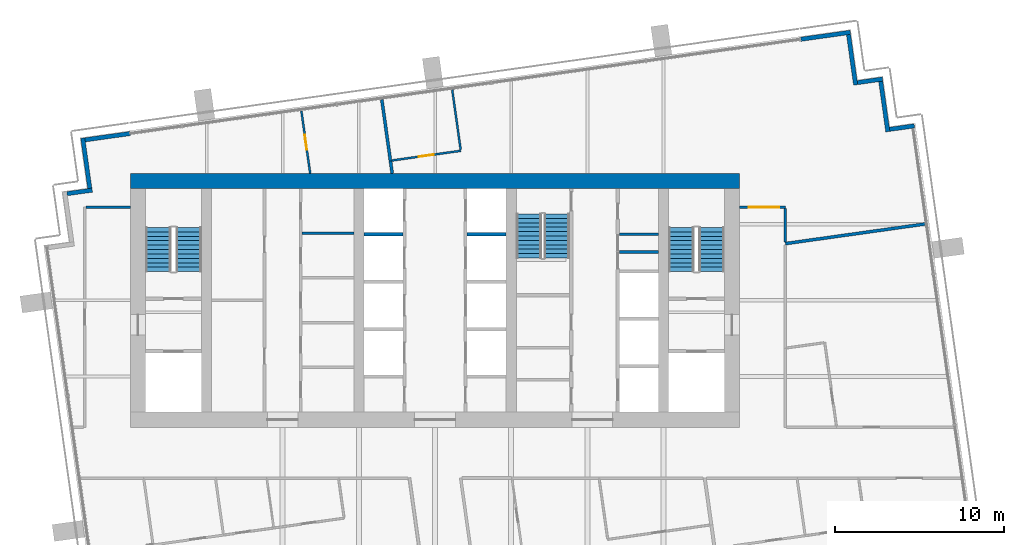
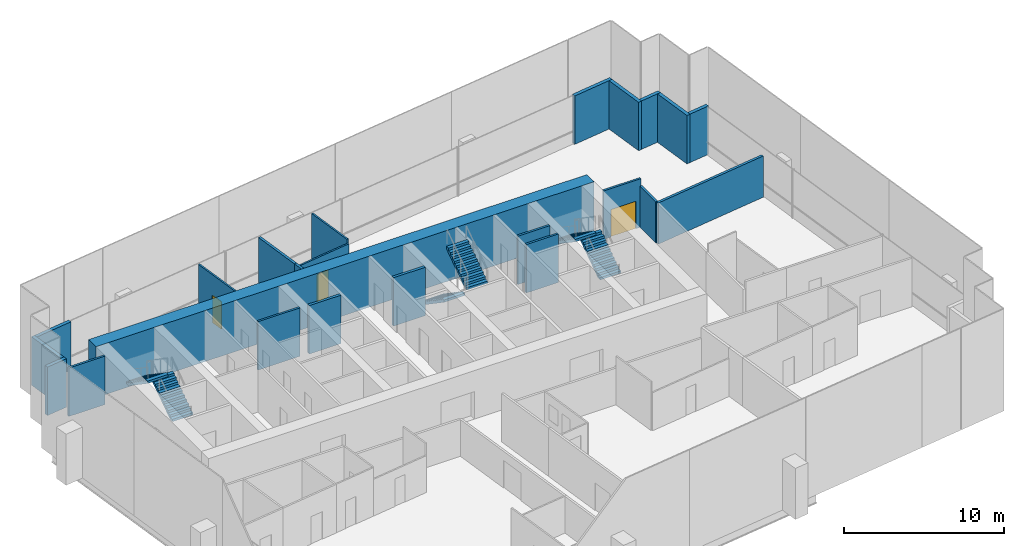
# One storey, part 12 of 17: 23 walls, 6 stair flights, 3 doors, 3 openings, 3 elements without a shape of their own.
"""IFC4 building model written with IfcOpenShell, lengths in metres."""

from ifc_helpers import new_model, si_unit, direction, frame, frame_2d, origin, place, context, subcontext, project, spatial, polyline, rectangle, outline, extrude, material, layer, layer_set, type_object, element, fill, aggregate, save


model = new_model("IFC4")

# Units and contexts
model_context = context("Model", 3, precision=1e-05, world=origin(), true_north=direction((0.0, 1.0)))
body_context = subcontext(model_context, "Body", "Model", "MODEL_VIEW")
ifc_project = project(units=[si_unit("LENGTHUNIT", "METRE"), si_unit("AREAUNIT", "SQUARE_METRE"), si_unit("VOLUMEUNIT", "CUBIC_METRE"), si_unit("PLANEANGLEUNIT", "RADIAN"), si_unit("MASSUNIT", "GRAM", prefix="KILO")], contexts=[model_context])

# Site, building, storey
site_placement = place(None, origin())
site = spatial("IfcSite", under=ifc_project, at=site_placement, CompositionType="ELEMENT")
building_placement = place(site_placement, origin())
building = spatial("IfcBuilding", under=site, at=building_placement, Name="Rattan Terrace Tower", CompositionType="ELEMENT")
storey_placement = place(building_placement, frame((0.0, 0.0, 225.199951171875)))
storey = spatial("IfcBuildingStorey", under=building, at=storey_placement, Name="L51", CompositionType="ELEMENT", Elevation=225.199951171875)

# Walls
ifc_material_1 = material(Name="Gypsum board partition")
ifc_layer_1 = layer(ifc_material_1, 0.14990234375)
ifc_layer_set_1 = layer_set([ifc_layer_1], Name="Core partition 150")
wall_type_1 = type_object("IfcWallType", Name="Core partition 150", PredefinedType="PARTITIONING", material=ifc_layer_set_1)
wall_1_placement = place(storey_placement, frame((-7.85009765625, 3.9599609375, 0.0), z_axis=(0.0, 0.0, 1.0), x_axis=(1.0, 0.0, 0.0)))
element("IfcWall", 1, at=wall_1_placement, inside=storey, type_object=wall_type_1, Name="Core room wall", PredefinedType="PARTITIONING", context=body_context, shape_type="SweptSolid", body=[
    extrude(rectangle(XDim=3.050048828125, YDim=0.14990234375, at=frame_2d((1.52490234375, 0.0))), origin(), (0.0, 0.0, 1.0), 3.699951171875),
])
for number, where, z_axis, x_axis, name in (
    (2, (10.89990234375, 2.85595703125, 0.0), (0.0, 0.0, 1.0), (1.0, 0.0, 0.0), "Riser room wall"),
    (3, (10.89990234375, 3.912109375, 0.0), (0.0, 0.0, 1.0), (1.0, 0.0, 0.0), "Riser room wall"),
):
    element("IfcWall", number, at=place(storey_placement, frame(where, z_axis=z_axis, x_axis=x_axis)), inside=storey, type_object=wall_type_1, Name=name, PredefinedType="PARTITIONING", context=body_context, shape_type="SweptSolid", body=[
        extrude(rectangle(XDim=2.300048828125, YDim=0.14990234375, at=frame_2d((1.14990234375, 0.0))), origin(), (0.0, 0.0, 1.0), 3.699951171875),
    ])
ifc_material_2 = material(Name="Concrete C50/60", Category="concrete")
ifc_layer_2 = layer(ifc_material_2, 0.89990234375)
ifc_layer_set_2 = layer_set([ifc_layer_2], Name="Core ring wall 900 C50/60")
wall_type_2 = type_object("IfcWallType", Name="Core ring wall 900 C50/60", PredefinedType="SHEAR", material=ifc_layer_set_2)
wall_2_placement = place(storey_placement, frame((-18.0, 7.050048828125, -0.199951171875), z_axis=(0.0, 0.0, 1.0), x_axis=(1.0, 0.0, 0.0)))
element("IfcWall", 4, at=wall_2_placement, inside=storey, type_object=wall_type_2, Name="Rear core wall north", PredefinedType="SHEAR", context=body_context, shape_type="SweptSolid", body=[
    extrude(rectangle(XDim=36.0, YDim=0.89990234375, at=frame_2d((18.0, 0.0))), origin(), (0.0, 0.0, 1.0), 3.89990234375),
])
ifc_material_3 = material(Name="Insulated aluminium-clad stud wall", Category="aluminium")
ifc_layer_3 = layer(ifc_material_3, 0.25)
ifc_layer_set_3 = layer_set([ifc_layer_3], Name="Facade Riser Wall 250")
wall_type_3 = type_object("IfcWallType", Name="Facade Riser Wall 250", PredefinedType="SOLIDWALL", material=ifc_layer_set_3)
wall_3_placement = place(storey_placement, frame((28.322265625, 10.308837890625, 0.0), z_axis=(0.0, 0.0, 1.0), x_axis=(-0.990235520307, -0.13940449893, 0.0)))
element("IfcWall", 5, at=wall_3_placement, inside=storey, type_object=wall_type_3, Name="Riser wall L51-6", PredefinedType="SOLIDWALL", context=body_context, shape_type="SweptSolid", body=[
    extrude(rectangle(XDim=1.474609375, YDim=0.25, at=frame_2d((0.7373046875, 0.0))), origin(), (0.0, 0.0, 1.0), 3.699951171875),
])
wall_4_placement = place(storey_placement, frame((26.755859375, 9.962158203125, 0.0), z_axis=(0.0, 0.0, 1.0), x_axis=(-0.139393225799, 0.990237107263, 0.0)))
element("IfcWall", 6, at=wall_4_placement, inside=storey, type_object=wall_type_3, Name="Riser wall L51-7", PredefinedType="SOLIDWALL", context=body_context, shape_type="SweptSolid", body=[
    extrude(rectangle(XDim=3.000244140625, YDim=0.25, at=frame_2d((1.5, 0.0))), origin(), (0.0, 0.0, 1.0), 3.699951171875),
])
wall_5_placement = place(storey_placement, frame((26.444091796875, 13.074462890625, 0.0), z_axis=(0.0, 0.0, 1.0), x_axis=(-0.990240434918, -0.139369584395, 0.0)))
element("IfcWall", 7, at=wall_5_placement, inside=storey, type_object=wall_type_3, Name="Riser wall L51-8", PredefinedType="SOLIDWALL", context=body_context, shape_type="SweptSolid", body=[
    extrude(rectangle(XDim=1.49951171875, YDim=0.25, at=frame_2d((0.749755859375, 0.0))), origin(), (0.0, 0.0, 1.0), 3.699951171875),
])
wall_6_placement = place(storey_placement, frame((24.852783203125, 12.72412109375, 0.0), z_axis=(0.0, 0.0, 1.0), x_axis=(-0.139302206688, 0.990249915532, 0.0)))
element("IfcWall", 8, at=wall_6_placement, inside=storey, type_object=wall_type_3, Name="Riser wall L51-9", PredefinedType="SOLIDWALL", context=body_context, shape_type="SweptSolid", body=[
    extrude(rectangle(XDim=3.00048828125, YDim=0.25, at=frame_2d((1.500244140625, 0.0))), origin(), (0.0, 0.0, 1.0), 3.699951171875),
])
wall_7_placement = place(storey_placement, frame((24.541015625, 15.83642578125, 0.0), z_axis=(0.0, 0.0, 1.0), x_axis=(-0.990285396533, -0.139049751574, 0.0)))
element("IfcWall", 9, at=wall_7_placement, inside=storey, type_object=wall_type_3, Name="Riser wall L51-10", PredefinedType="SOLIDWALL", context=body_context, shape_type="SweptSolid", body=[
    extrude(rectangle(XDim=2.955078125, YDim=0.25, at=frame_2d((1.4775390625, 0.0))), origin(), (0.0, 0.0, 1.0), 3.699951171875),
])
wall_8_placement = place(storey_placement, frame((-17.995361328125, 9.858642578125, 0.0), z_axis=(0.0, 0.0, 1.0), x_axis=(-0.99024510326, -0.139336411139, 0.0)))
element("IfcWall", 10, at=wall_8_placement, inside=storey, type_object=wall_type_3, Name="Riser wall L51-11", PredefinedType="SOLIDWALL", context=body_context, shape_type="SweptSolid", body=[
    extrude(rectangle(XDim=2.705322265625, YDim=0.25, at=frame_2d((1.3525390625, 0.0))), origin(), (0.0, 0.0, 1.0), 3.699951171875),
])
wall_9_placement = place(storey_placement, frame((-20.8154296875, 9.588134765625, 0.0), z_axis=(0.0, 0.0, 1.0), x_axis=(0.138983028379, -0.9902947631, 0.0)))
element("IfcWall", 11, at=wall_9_placement, inside=storey, type_object=wall_type_3, Name="Riser wall L51-12", PredefinedType="SOLIDWALL", context=body_context, shape_type="SweptSolid", body=[
    extrude(rectangle(XDim=3.000244140625, YDim=0.25, at=frame_2d((1.5, 0.0))), origin(), (0.0, 0.0, 1.0), 3.699951171875),
])
wall_10_placement = place(storey_placement, frame((-20.25732421875, 6.510498046875, 0.0), z_axis=(0.0, 0.0, 1.0), x_axis=(-0.990330117064, -0.138730887823, 0.0)))
element("IfcWall", 12, at=wall_10_placement, inside=storey, type_object=wall_type_3, Name="Riser wall L51-13", PredefinedType="SOLIDWALL", context=body_context, shape_type="SweptSolid", body=[
    extrude(rectangle(XDim=1.499267578125, YDim=0.25, at=frame_2d((0.74951171875, 0.0))), origin(), (0.0, 0.0, 1.0), 3.699951171875),
])
ifc_material_4 = material(Name="Double steel stud acoustic partition, gypsum board, mineral wool, fire rated", Category="steel")
ifc_layer_4 = layer(ifc_material_4, 0.179931640625)
ifc_layer_set_4 = layer_set([ifc_layer_4], Name="Floors Acoustic Party Wall 180")
wall_type_4 = type_object("IfcWallType", Name="Floors Acoustic Party Wall 180", PredefinedType="PARTITIONING", material=ifc_layer_set_4)
wall_11_placement = place(storey_placement, frame((-2.632080078125, 8.22998046875, 0.0), z_axis=(0.0, 0.0, 1.0), x_axis=(0.138452925943, -0.99036901572, 0.0)))
element("IfcWall", 13, at=wall_11_placement, inside=storey, type_object=wall_type_4, Name="pt-L51-047", PredefinedType="PARTITIONING", context=body_context, shape_type="SweptSolid", body=[
    extrude(rectangle(XDim=0.737060546875, YDim=0.179931640625, at=frame_2d((0.36865234375, 0.0))), origin(), (0.0, 0.0, 1.0), 3.699951171875),
])
wall_12_placement = place(storey_placement, frame((-3.14208984375, 11.85595703125, 0.0), z_axis=(0.0, 0.0, 1.0), x_axis=(0.139058624332, -0.990284150635, 0.0)))
element("IfcWall", 14, at=wall_12_placement, inside=storey, type_object=wall_type_4, Name="pt-L51-048", PredefinedType="PARTITIONING", context=body_context, shape_type="SweptSolid", body=[
    extrude(rectangle(XDim=3.66064453125, YDim=0.179931640625, at=frame_2d((1.830322265625, 0.0))), origin(), (0.0, 0.0, 1.0), 3.699951171875),
])
wall_13_placement = place(storey_placement, frame((20.699951171875, 3.35009765625, 0.0), z_axis=(0.0, 0.0, 1.0), x_axis=(0.990269965101, 0.139159606996, 0.0)))
element("IfcWall", 15, at=wall_13_placement, inside=storey, type_object=wall_type_4, Name="pt-L51-051", PredefinedType="PARTITIONING", context=body_context, shape_type="SweptSolid", body=[
    extrude(rectangle(XDim=8.328125, YDim=0.179931640625, at=frame_2d((4.1640625, 0.0))), origin(), (0.0, 0.0, 1.0), 3.150146484375),
])
ifc_material_5 = material(Name="Gypsum board partition on steel studs, fire rated", Category="steel")
ifc_layer_5 = layer(ifc_material_5, 0.14990234375)
ifc_layer_set_5 = layer_set([ifc_layer_5], Name="Floors Tenancy Wall 150")
wall_type_5 = type_object("IfcWallType", Name="Floors Tenancy Wall 150", PredefinedType="PARTITIONING", material=ifc_layer_set_5)
wall_14_placement = place(storey_placement, frame((-20.625, 5.5009765625, 0.0), z_axis=(0.0, 0.0, 1.0), x_axis=(1.0, 0.0, 0.0)))
element("IfcWall", 16, at=wall_14_placement, inside=storey, type_object=wall_type_5, Name="pt-L51-018", PredefinedType="PARTITIONING", context=body_context, shape_type="SweptSolid", body=[
    extrude(rectangle(XDim=2.625, YDim=0.14990234375, at=frame_2d((1.3125, 0.0))), origin(), (0.0, 0.0, 1.0), 3.699951171875),
])

# Wall, opening, door
wall_15_placement = place(storey_placement, frame((18.0, 5.5, 0.0), z_axis=(0.0, 0.0, 1.0), x_axis=(1.0, 0.0, 0.0)))
wall_15 = element("IfcWall", 17, at=wall_15_placement, inside=storey, type_object=wall_type_5, Name="pt-L51-023", PredefinedType="PARTITIONING", context=body_context, shape_type="SweptSolid", body=[
    extrude(rectangle(XDim=2.699951171875, YDim=0.14990234375, at=frame_2d((1.35009765625, 0.0))), origin(), (0.0, 0.0, 1.0), 3.699951171875),
])
opening_1_placement = place(wall_15_placement, frame((0.550048828125, 0.0, 0.0)))
opening_1 = element("IfcOpeningElement", 18, at=opening_1_placement, cuts=wall_15, Name="Opening L51-D116", PredefinedType="OPENING", context=body_context, shape_type="SweptSolid", body=[
    extrude(rectangle(XDim=1.800048828125, YDim=2.10009765625, at=frame_2d((0.89990234375, 1.050048828125))), frame((0.0, 0.08544921875, 0.0), z_axis=(0.0, -1.0, 0.0), x_axis=(1.0, 0.0, 0.0)), (0.0, 0.0, 1.0), 0.1708984375),
])
ifc_material_6 = material(Name="Steel fire door set", Category="steel")
door_type_1 = type_object("IfcDoorType", Name="Floors Fire Door Pair FD30S 1800x2100", OperationType="NOTDEFINED", PredefinedType="DOOR", material=ifc_material_6)
door_1_placement = place(opening_1_placement, origin())
door_1 = element("IfcDoor", 19, at=door_1_placement, inside=storey, type_object=door_type_1, Name="d-L51-116", OperationType="DOUBLE_DOOR_SINGLE_SWING", OverallHeight=2.10009765625, OverallWidth=1.800048828125, PredefinedType="DOOR", context=body_context, shape_type="SweptSolid", body=[
    extrude(rectangle(XDim=1.800048828125, YDim=2.10009765625, at=frame_2d((0.89990234375, 1.050048828125))), frame((0.0, 0.02490234375, 0.0), z_axis=(0.0, -1.0, 0.0), x_axis=(1.0, 0.0, 0.0)), (0.0, 0.0, 1.0), 0.050048828125),
])
fill(opening_1, door_1)

# Wall
wall_16_placement = place(storey_placement, frame((20.699951171875, 5.425048828125, 0.0), z_axis=(0.0, 0.0, 1.0), x_axis=(0.0, -1.0, 0.0)))
element("IfcWall", 20, at=wall_16_placement, inside=storey, type_object=wall_type_5, Name="pt-L51-024", PredefinedType="PARTITIONING", context=body_context, shape_type="SweptSolid", body=[
    extrude(rectangle(XDim=1.97412109375, YDim=0.14990234375, at=frame_2d((0.987060546875, 0.0))), origin(), (0.0, 0.0, 1.0), 3.150146484375),
])

# Wall, opening, door
ifc_material_7 = material(Name="Moisture resistant gypsum board partition on steel studs with service cavity", Category="steel")
ifc_layer_6 = layer(ifc_material_7, 0.1201171875)
ifc_layer_set_6 = layer_set([ifc_layer_6], Name="Floors Wet Wall 120")
wall_type_6 = type_object("IfcWallType", Name="Floors Wet Wall 120", PredefinedType="PARTITIONING", material=ifc_layer_set_6)
wall_17_placement = place(storey_placement, frame((-7.89501953125, 11.18798828125, 0.0), z_axis=(0.0, 0.0, 1.0), x_axis=(0.139108182039, -0.990277190331, 0.0)))
wall_17 = element("IfcWall", 21, at=wall_17_placement, inside=storey, type_object=wall_type_6, Name="pt-L51-046", PredefinedType="PARTITIONING", context=body_context, shape_type="SweptSolid", body=[
    extrude(rectangle(XDim=3.72412109375, YDim=0.1201171875, at=frame_2d((1.862060546875, 0.0))), origin(), (0.0, 0.0, 1.0), 3.699951171875),
])
opening_2_placement = place(wall_17_placement, frame((1.412109375, 0.0, 0.0)))
opening_2 = element("IfcOpeningElement", 22, at=opening_2_placement, cuts=wall_17, Name="Opening L51-D113", PredefinedType="OPENING", context=body_context, shape_type="SweptSolid", body=[
    extrude(rectangle(XDim=0.89990234375, YDim=2.10009765625, at=frame_2d((0.449951171875, 1.050048828125))), frame((0.0, 0.070556640625, 0.0), z_axis=(0.0, -1.0, 0.0), x_axis=(1.0, 0.0, 0.0)), (0.0, 0.0, 1.0), 0.14111328125),
])
ifc_material_8 = material(Name="Solid core timber door, painted", Category="wood")
door_type_2 = type_object("IfcDoorType", Name="Floors Door 900x2100", OperationType="NOTDEFINED", PredefinedType="DOOR", material=ifc_material_8)
door_2_placement = place(opening_2_placement, origin())
door_2 = element("IfcDoor", 23, at=door_2_placement, inside=storey, type_object=door_type_2, Name="d-L51-113", OperationType="SINGLE_SWING_RIGHT", OverallHeight=2.10009765625, OverallWidth=0.89990234375, PredefinedType="DOOR", context=body_context, shape_type="SweptSolid", body=[
    extrude(rectangle(XDim=0.89990234375, YDim=2.10009765625, at=frame_2d((0.449951171875, 1.050048828125))), frame((0.0, 0.02490234375, 0.0), z_axis=(0.0, -1.0, 0.0), x_axis=(1.0, 0.0, 0.0)), (0.0, 0.0, 1.0), 0.050048828125),
])
fill(opening_2, door_2)

wall_18_placement = place(storey_placement, frame((-2.5458984375, 8.261962890625, 0.0), z_axis=(0.0, 0.0, 1.0), x_axis=(0.990233783149, 0.139416837975, 0.0)))
wall_18 = element("IfcWall", 24, at=wall_18_placement, inside=storey, type_object=wall_type_6, Name="pt-L51-052", PredefinedType="PARTITIONING", context=body_context, shape_type="SweptSolid", body=[
    extrude(rectangle(XDim=4.10986328125, YDim=0.1201171875, at=frame_2d((2.054931640625, 0.0))), origin(), (0.0, 0.0, 1.0), 3.400146484375),
])
opening_3_placement = place(wall_18_placement, frame((1.60498046875, 0.0, 0.0)))
opening_3 = element("IfcOpeningElement", 25, at=opening_3_placement, cuts=wall_18, Name="Opening L51-D117", PredefinedType="OPENING", context=body_context, shape_type="SweptSolid", body=[
    extrude(rectangle(XDim=0.89990234375, YDim=2.10009765625, at=frame_2d((0.449951171875, 1.050048828125))), frame((0.0, 0.070556640625, 0.0), z_axis=(0.0, -1.0, 0.0), x_axis=(1.0, 0.0, 0.0)), (0.0, 0.0, 1.0), 0.14111328125),
])
door_3_placement = place(opening_3_placement, origin())
door_3 = element("IfcDoor", 26, at=door_3_placement, inside=storey, type_object=door_type_2, Name="d-L51-117", OperationType="SINGLE_SWING_RIGHT", OverallHeight=2.10009765625, OverallWidth=0.89990234375, PredefinedType="DOOR", context=body_context, shape_type="SweptSolid", body=[
    extrude(rectangle(XDim=0.89990234375, YDim=2.10009765625, at=frame_2d((0.449951171875, 1.050048828125))), frame((0.0, 0.02490234375, 0.0), z_axis=(0.0, -1.0, 0.0), x_axis=(1.0, 0.0, 0.0)), (0.0, 0.0, 1.0), 0.050048828125),
])
fill(opening_3, door_3)

# Walls
wall_19_placement = place(storey_placement, frame((1.51611328125, 8.89404296875, 0.0), z_axis=(0.0, 0.0, 1.0), x_axis=(-0.139321670591, 0.990247177276, 0.0)))
element("IfcWall", 27, at=wall_19_placement, inside=storey, type_object=wall_type_6, Name="pt-L51-053", PredefinedType="PARTITIONING", context=body_context, shape_type="SweptSolid", body=[
    extrude(rectangle(XDim=3.581787109375, YDim=0.1201171875, at=frame_2d((1.791015625, 0.0))), origin(), (0.0, 0.0, 1.0), 3.699951171875),
])
ifc_material_9 = material(Name="Gypsum shaft wall system")
ifc_layer_7 = layer(ifc_material_9, 0.199951171875)
ifc_layer_set_7 = layer_set([ifc_layer_7], Name="Lift shaft wall 200")
wall_type_7 = type_object("IfcWallType", Name="Lift shaft wall 200", PredefinedType="PARTITIONING", material=ifc_layer_set_7)
for number, where, z_axis, x_axis, name in (
    (28, (-4.199951171875, 3.89990234375, 0.0), (0.0, 0.0, 1.0), (1.0, 0.0, 0.0), "Lift shaft wall"),
    (29, (1.89990234375, 3.89990234375, 0.0), (0.0, 0.0, 1.0), (1.0, 0.0, 0.0), "Lift shaft wall"),
):
    element("IfcWall", number, at=place(storey_placement, frame(where, z_axis=z_axis, x_axis=x_axis)), inside=storey, type_object=wall_type_7, Name=name, PredefinedType="PARTITIONING", context=body_context, shape_type="SweptSolid", body=[
        extrude(rectangle(XDim=2.300048828125, YDim=0.199951171875, at=frame_2d((1.14990234375, 0.0))), origin(), (0.0, 0.0, 1.0), 3.699951171875),
    ])

# Stair, stair flights
ifc_material_10 = material(Name="Concrete C40/50", Category="concrete")
stair_type = type_object("IfcStairType", Name="Core exit stair 1500", PredefinedType="HALF_TURN_STAIR", material=ifc_material_10)
stair_1_placement = place(storey_placement, origin())
stair_1 = element("IfcStair", 30, at=stair_1_placement, inside=storey, type_object=stair_type, Name="L51 exit stair 1", PredefinedType="HALF_TURN_STAIR")
ifc_material_11 = material(Name="Concrete C40/50", Category="concrete")
stair_flight_type = type_object("IfcStairFlightType", Name="Core exit stair flight 1500", PredefinedType="STRAIGHT", material=ifc_material_11)
stair_flight_1_placement = place(storey_placement, frame((-14.550048828125, 1.699951171875, 0.0), z_axis=(0.0, 0.0, 1.0), x_axis=(0.0, 1.0, 0.0)))
stair_flight_1 = element("IfcStairFlight", 31, at=stair_flight_1_placement, type_object=stair_flight_type, Name="S1 flight 1", NumberOfRisers=11, NumberOfTreads=10, PredefinedType="STRAIGHT", RiserHeight=0.177272727, TreadLength=0.26, context=body_context, shape_type="SweptSolid", body=[
    extrude(outline(polyline([(0.0, 0.0), (0.0, 0.17724609375), (0.260009765625, 0.17724609375), (0.260009765625, 0.3544921875), (0.52001953125, 0.3544921875), (0.52001953125, 0.53173828125), (0.780029296875, 0.53173828125), (0.780029296875, 0.708984375), (1.0400390625, 0.708984375), (1.0400390625, 0.886474609375), (1.300048828125, 0.886474609375), (1.300048828125, 1.063720703125), (1.56005859375, 1.063720703125), (1.56005859375, 1.240966796875), (1.820068359375, 1.240966796875), (1.820068359375, 1.418212890625), (2.080078125, 1.418212890625), (2.080078125, 1.595458984375), (2.340087890625, 1.595458984375), (2.340087890625, 1.772705078125), (2.60009765625, 1.772705078125), (2.60009765625, 1.949951171875), (2.60009765625, 1.59130859375), (0.26611328125, 0.0), (0.0, 0.0)])), frame((0.0, 0.75, 0.0), z_axis=(0.0, -1.0, 0.0), x_axis=(1.0, 0.0, 0.0)), (0.0, 0.0, 1.0), 1.5),
])
stair_flight_2_placement = place(storey_placement, frame((-16.35009765625, 4.300048828125, 1.949951171875), z_axis=(0.0, 0.0, 1.0), x_axis=(0.0, -1.0, 0.0)))
stair_flight_2 = element("IfcStairFlight", 32, at=stair_flight_2_placement, type_object=stair_flight_type, Name="S1 flight 2", NumberOfRisers=11, NumberOfTreads=10, PredefinedType="STRAIGHT", RiserHeight=0.177272727, TreadLength=0.26, context=body_context, shape_type="SweptSolid", body=[
    extrude(outline(polyline([(0.0, 0.0), (0.0, 0.17724609375), (0.260009765625, 0.17724609375), (0.260009765625, 0.3544921875), (0.52001953125, 0.3544921875), (0.52001953125, 0.53173828125), (0.780029296875, 0.53173828125), (0.780029296875, 0.708984375), (1.0400390625, 0.708984375), (1.0400390625, 0.886474609375), (1.300048828125, 0.886474609375), (1.300048828125, 1.063720703125), (1.56005859375, 1.063720703125), (1.56005859375, 1.240966796875), (1.820068359375, 1.240966796875), (1.820068359375, 1.418212890625), (2.080078125, 1.418212890625), (2.080078125, 1.595458984375), (2.340087890625, 1.595458984375), (2.340087890625, 1.772705078125), (2.60009765625, 1.772705078125), (2.60009765625, 1.949951171875), (2.60009765625, 1.59130859375), (0.26611328125, 0.0), (0.0, 0.0)])), frame((0.0, 0.75, 0.0), z_axis=(0.0, -1.0, 0.0), x_axis=(1.0, 0.0, 0.0)), (0.0, 0.0, 1.0), 1.5),
])
aggregate(stair_1, [stair_flight_1, stair_flight_2])

stair_2_placement = place(storey_placement, origin())
stair_2 = element("IfcStair", 33, at=stair_2_placement, inside=storey, type_object=stair_type, Name="L51 exit stair 2", PredefinedType="HALF_TURN_STAIR")
stair_flight_3_placement = place(storey_placement, frame((16.35009765625, 1.699951171875, 0.0), z_axis=(0.0, 0.0, 1.0), x_axis=(0.0, 1.0, 0.0)))
stair_flight_3 = element("IfcStairFlight", 34, at=stair_flight_3_placement, type_object=stair_flight_type, Name="S2 flight 1", NumberOfRisers=11, NumberOfTreads=10, PredefinedType="STRAIGHT", RiserHeight=0.177272727, TreadLength=0.26, context=body_context, shape_type="SweptSolid", body=[
    extrude(outline(polyline([(0.0, 0.0), (0.0, 0.17724609375), (0.260009765625, 0.17724609375), (0.260009765625, 0.3544921875), (0.52001953125, 0.3544921875), (0.52001953125, 0.53173828125), (0.780029296875, 0.53173828125), (0.780029296875, 0.708984375), (1.0400390625, 0.708984375), (1.0400390625, 0.886474609375), (1.300048828125, 0.886474609375), (1.300048828125, 1.063720703125), (1.56005859375, 1.063720703125), (1.56005859375, 1.240966796875), (1.820068359375, 1.240966796875), (1.820068359375, 1.418212890625), (2.080078125, 1.418212890625), (2.080078125, 1.595458984375), (2.340087890625, 1.595458984375), (2.340087890625, 1.772705078125), (2.60009765625, 1.772705078125), (2.60009765625, 1.949951171875), (2.60009765625, 1.59130859375), (0.26611328125, 0.0), (0.0, 0.0)])), frame((0.0, 0.75, 0.0), z_axis=(0.0, -1.0, 0.0), x_axis=(1.0, 0.0, 0.0)), (0.0, 0.0, 1.0), 1.5),
])
stair_flight_4_placement = place(storey_placement, frame((14.550048828125, 4.300048828125, 1.949951171875), z_axis=(0.0, 0.0, 1.0), x_axis=(0.0, -1.0, 0.0)))
stair_flight_4 = element("IfcStairFlight", 35, at=stair_flight_4_placement, type_object=stair_flight_type, Name="S2 flight 2", NumberOfRisers=11, NumberOfTreads=10, PredefinedType="STRAIGHT", RiserHeight=0.177272727, TreadLength=0.26, context=body_context, shape_type="SweptSolid", body=[
    extrude(outline(polyline([(0.0, 0.0), (0.0, 0.17724609375), (0.260009765625, 0.17724609375), (0.260009765625, 0.3544921875), (0.52001953125, 0.3544921875), (0.52001953125, 0.53173828125), (0.780029296875, 0.53173828125), (0.780029296875, 0.708984375), (1.0400390625, 0.708984375), (1.0400390625, 0.886474609375), (1.300048828125, 0.886474609375), (1.300048828125, 1.063720703125), (1.56005859375, 1.063720703125), (1.56005859375, 1.240966796875), (1.820068359375, 1.240966796875), (1.820068359375, 1.418212890625), (2.080078125, 1.418212890625), (2.080078125, 1.595458984375), (2.340087890625, 1.595458984375), (2.340087890625, 1.772705078125), (2.60009765625, 1.772705078125), (2.60009765625, 1.949951171875), (2.60009765625, 1.59130859375), (0.26611328125, 0.0), (0.0, 0.0)])), frame((0.0, 0.75, 0.0), z_axis=(0.0, -1.0, 0.0), x_axis=(1.0, 0.0, 0.0)), (0.0, 0.0, 1.0), 1.5),
])
aggregate(stair_2, [stair_flight_3, stair_flight_4])

stair_3_placement = place(storey_placement, origin())
stair_3 = element("IfcStair", 36, at=stair_3_placement, inside=storey, type_object=stair_type, Name="L51 exit stair 3", PredefinedType="HALF_TURN_STAIR")
stair_flight_5_placement = place(storey_placement, frame((5.550048828125, 5.10009765625, 0.0), z_axis=(0.0, 0.0, 1.0), x_axis=(0.0, -1.0, 0.0)))
stair_flight_5 = element("IfcStairFlight", 37, at=stair_flight_5_placement, type_object=stair_flight_type, Name="S3 flight 1", NumberOfRisers=11, NumberOfTreads=10, PredefinedType="STRAIGHT", RiserHeight=0.177272727, TreadLength=0.26, context=body_context, shape_type="SweptSolid", body=[
    extrude(outline(polyline([(0.0, 0.0), (0.0, 0.17724609375), (0.260009765625, 0.17724609375), (0.260009765625, 0.3544921875), (0.52001953125, 0.3544921875), (0.52001953125, 0.53173828125), (0.780029296875, 0.53173828125), (0.780029296875, 0.708984375), (1.0400390625, 0.708984375), (1.0400390625, 0.886474609375), (1.300048828125, 0.886474609375), (1.300048828125, 1.063720703125), (1.56005859375, 1.063720703125), (1.56005859375, 1.240966796875), (1.820068359375, 1.240966796875), (1.820068359375, 1.418212890625), (2.080078125, 1.418212890625), (2.080078125, 1.595458984375), (2.340087890625, 1.595458984375), (2.340087890625, 1.772705078125), (2.60009765625, 1.772705078125), (2.60009765625, 1.949951171875), (2.60009765625, 1.59130859375), (0.26611328125, 0.0), (0.0, 0.0)])), frame((0.0, 0.75, 0.0), z_axis=(0.0, -1.0, 0.0), x_axis=(1.0, 0.0, 0.0)), (0.0, 0.0, 1.0), 1.5),
])
stair_flight_6_placement = place(storey_placement, frame((7.199951171875, 2.5, 1.949951171875), z_axis=(0.0, 0.0, 1.0), x_axis=(0.0, 1.0, 0.0)))
stair_flight_6 = element("IfcStairFlight", 38, at=stair_flight_6_placement, type_object=stair_flight_type, Name="S3 flight 2", NumberOfRisers=11, NumberOfTreads=10, PredefinedType="STRAIGHT", RiserHeight=0.177272727, TreadLength=0.26, context=body_context, shape_type="SweptSolid", body=[
    extrude(outline(polyline([(0.0, 0.0), (0.0, 0.17724609375), (0.260009765625, 0.17724609375), (0.260009765625, 0.3544921875), (0.52001953125, 0.3544921875), (0.52001953125, 0.53173828125), (0.780029296875, 0.53173828125), (0.780029296875, 0.708984375), (1.0400390625, 0.708984375), (1.0400390625, 0.886474609375), (1.300048828125, 0.886474609375), (1.300048828125, 1.063720703125), (1.56005859375, 1.063720703125), (1.56005859375, 1.240966796875), (1.820068359375, 1.240966796875), (1.820068359375, 1.418212890625), (2.080078125, 1.418212890625), (2.080078125, 1.595458984375), (2.340087890625, 1.595458984375), (2.340087890625, 1.772705078125), (2.60009765625, 1.772705078125), (2.60009765625, 1.949951171875), (2.60009765625, 1.59130859375), (0.26611328125, 0.0), (0.0, 0.0)])), frame((0.0, 0.75, 0.0), z_axis=(0.0, -1.0, 0.0), x_axis=(1.0, 0.0, 0.0)), (0.0, 0.0, 1.0), 1.5),
])
aggregate(stair_3, [stair_flight_5, stair_flight_6])

save(model, "model.ifc")
